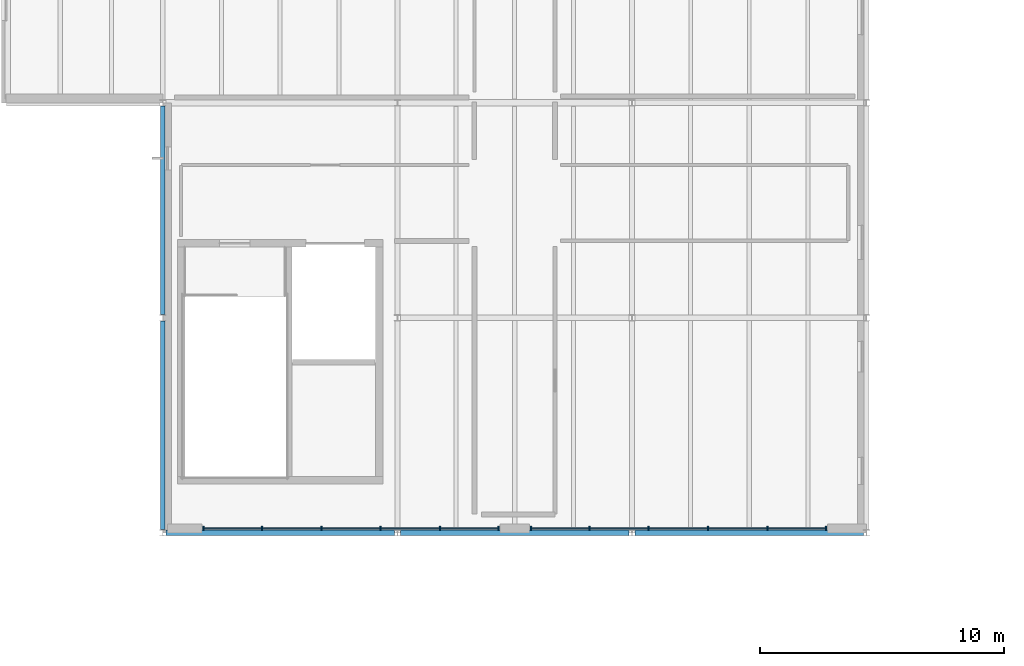
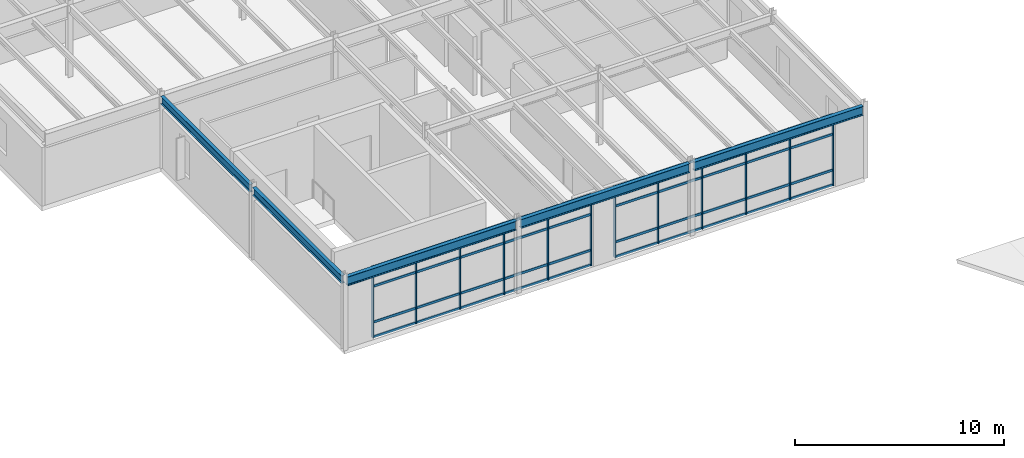
# One storey, part 18 of 69: 20 members, 5 beams, 2 elements without a shape of their own.
"""IFC4 building model written with IfcOpenShell, lengths in metres."""

from ifc_helpers import new_model, si_unit, direction, frame, origin, origin_2d, place, context, subcontext, project, spatial, rectangle, i_section, extrude, material, material_profile, profile_set, type_object, element, aggregate, save


model = new_model("IFC4")

# Units and contexts
model_context = context("Model", 3, precision=1e-05, world=origin(), true_north=direction((0.0, 1.0)))
body_context = subcontext(model_context, "Body", "Model", "MODEL_VIEW")
ifc_project = project(units=[si_unit("LENGTHUNIT", "METRE"), si_unit("AREAUNIT", "SQUARE_METRE"), si_unit("VOLUMEUNIT", "CUBIC_METRE"), si_unit("PLANEANGLEUNIT", "RADIAN"), si_unit("MASSUNIT", "GRAM", prefix="KILO")], contexts=[model_context])

# Site, building, storey
site_placement = place(None, origin())
site = spatial("IfcSite", under=ifc_project, at=site_placement, CompositionType="ELEMENT")
building_placement = place(site_placement, origin())
building = spatial("IfcBuilding", under=site, at=building_placement, Name="Sarnbrook Museum", CompositionType="ELEMENT")
storey_placement = place(building_placement, frame((0.0, 0.0, 14.60009765625)))
storey = spatial("IfcBuildingStorey", under=building, at=storey_placement, Name="L03", CompositionType="ELEMENT", Elevation=14.60009765625)

# Beams
ifc_material_1 = material(Name="Structural Steel Grade 300PLUS (AS/NZS 3679.1, fy = 280 MPa for 17 < t <= 40 mm, 300 MPa for t <= 17 mm)", Category="steel")
ifc_material_profile_1 = material_profile(ifc_material_1, i_section(OverallWidth=0.18994140625, OverallDepth=0.45703125, WebThickness=0.009033203125, FlangeThickness=0.014404296875, FilletRadius=0.011474609375, at=origin_2d()), Name="460UB74.6")
ifc_profile_set_1 = profile_set([ifc_material_profile_1], Name="Structural Steel Grade 300PLUS (AS/NZS 3679.1, fy = 280 MPa for 17 < t <= 40 mm, 300 MPa for t <= 17 mm)")
beam_type_1 = type_object("IfcBeamType", Name="BM-UB460", PredefinedType="BEAM", material=ifc_profile_set_1)
for number, where, z_axis, x_axis, name in (
    (1, (13.60009765625, 39.326904296875, 4.021484375), (0.0, 1.0, 0.0), (-1.0, 0.0, 0.0), "Girder 2:E-F L03"),
    (2, (13.60009765625, 48.126953125, 4.021484375), (0.0, 1.0, 0.0), (-1.0, 0.0, 0.0), "Girder 2:F-G L03"),
):
    element("IfcBeam", number, at=place(storey_placement, frame(where, z_axis=z_axis, x_axis=x_axis)), inside=storey, type_object=beam_type_1, Name=name, PredefinedType="BEAM", context=body_context, shape_type="SweptSolid", body=[
        extrude(i_section(OverallWidth=0.18994140625, OverallDepth=0.45703125, WebThickness=0.009033203125, FlangeThickness=0.014404296875, FilletRadius=0.011474609375, at=origin_2d()), origin(), (0.0, 0.0, 1.0), 8.546142578125),
    ])
ifc_material_profile_2 = material_profile(ifc_material_1, i_section(OverallWidth=0.208984375, OverallDepth=0.532958984375, WebThickness=0.01025390625, FlangeThickness=0.015625, FilletRadius=0.013916015625, at=origin_2d()), Name="530UB92.4")
ifc_profile_set_2 = profile_set([ifc_material_profile_2], Name="Structural Steel Grade 300PLUS (AS/NZS 3679.1, fy = 280 MPa for 17 < t <= 40 mm, 300 MPa for t <= 17 mm)")
beam_type_2 = type_object("IfcBeamType", Name="BM-UB530", PredefinedType="BEAM", material=ifc_profile_set_2)
beam_1_placement = place(storey_placement, frame((13.72705078125, 39.199951171875, 3.9833984375), z_axis=(1.0, 0.0, 0.0), x_axis=(0.0, 1.0, 0.0)))
element("IfcBeam", 3, at=beam_1_placement, inside=storey, type_object=beam_type_2, Name="Girder E:2-3 L03", PredefinedType="BEAM", context=body_context, shape_type="SweptSolid", body=[
    extrude(i_section(OverallWidth=0.208984375, OverallDepth=0.532958984375, WebThickness=0.01025390625, FlangeThickness=0.015625, FilletRadius=0.013916015625, at=origin_2d()), origin(), (0.0, 0.0, 1.0), 9.345947265625),
])
beam_2_placement = place(storey_placement, frame((23.326904296875, 39.199951171875, 3.9833984375), z_axis=(1.0, 0.0, 0.0), x_axis=(0.0, 1.0, 0.0)))
element("IfcBeam", 4, at=beam_2_placement, inside=storey, type_object=beam_type_2, Name="Girder E:3-4 L03", PredefinedType="BEAM", context=body_context, shape_type="SweptSolid", body=[
    extrude(i_section(OverallWidth=0.208984375, OverallDepth=0.532958984375, WebThickness=0.01025390625, FlangeThickness=0.015625, FilletRadius=0.013916015625, at=origin_2d()), origin(), (0.0, 0.0, 1.0), 9.34619140625),
])
beam_3_placement = place(storey_placement, frame((32.927001953125, 39.199951171875, 3.9833984375), z_axis=(1.0, 0.0, 0.0), x_axis=(0.0, 1.0, 0.0)))
element("IfcBeam", 5, at=beam_3_placement, inside=storey, type_object=beam_type_2, Name="Girder E:4-5 L03", PredefinedType="BEAM", context=body_context, shape_type="SweptSolid", body=[
    extrude(i_section(OverallWidth=0.208984375, OverallDepth=0.532958984375, WebThickness=0.01025390625, FlangeThickness=0.015625, FilletRadius=0.013916015625, at=origin_2d()), origin(), (0.0, 0.0, 1.0), 9.345947265625),
])

# Curtain wall, members
ifc_material_2 = material(Name="Thermally Broken Anodised Aluminium 6063-T6", Category="aluminium")
curtain_wall_type = type_object("IfcCurtainWallType", Name="CurtainWall_GalleryRibbon", PredefinedType="NOTDEFINED", material=ifc_material_2)
curtain_wall_1_placement = place(storey_placement, origin())
curtain_wall_1 = element("IfcCurtainWall", 6, at=curtain_wall_1_placement, inside=storey, type_object=curtain_wall_type, Name="Gallery Ribbon Curtain Wall L03-14.1", PredefinedType="NOTDEFINED")
ifc_material_profile_3 = material_profile(ifc_material_2, rectangle(XDim=0.06005859375, YDim=0.159912109375, at=origin_2d()), Name="ALU MULLION 60x160")
ifc_profile_set_3 = profile_set([ifc_material_profile_3], Name="Thermally Broken Anodised Aluminium 6063-T6")
member_type_1 = type_object("IfcMemberType", Name="CW_Mullion_150x65", PredefinedType="MULLION", material=ifc_profile_set_3)
member_1_placement = place(storey_placement, frame((15.260009765625, 39.3798828125, 0.0), z_axis=(0.0, 0.0, 1.0), x_axis=(1.0, 0.0, 0.0)))
member_1 = element("IfcMember", 7, at=member_1_placement, type_object=member_type_1, Name="Gallery Ribbon Curtain Wall L03-14.1 Mullion 1", PredefinedType="MULLION", context=body_context, shape_type="SweptSolid", body=[
    extrude(rectangle(XDim=0.06005859375, YDim=0.159912109375, at=origin_2d()), origin(), (0.0, 0.0, 1.0), 4.159912109375),
])
member_2_placement = place(storey_placement, frame((17.652099609375, 39.3798828125, 0.0), z_axis=(0.0, 0.0, 1.0), x_axis=(1.0, 0.0, 0.0)))
member_2 = element("IfcMember", 8, at=member_2_placement, type_object=member_type_1, Name="Gallery Ribbon Curtain Wall L03-14.1 Mullion 2", PredefinedType="MULLION", context=body_context, shape_type="SweptSolid", body=[
    extrude(rectangle(XDim=0.06005859375, YDim=0.159912109375, at=origin_2d()), origin(), (0.0, 0.0, 1.0), 4.159912109375),
])
member_3_placement = place(storey_placement, frame((20.083984375, 39.3798828125, 0.0), z_axis=(0.0, 0.0, 1.0), x_axis=(1.0, 0.0, 0.0)))
member_3 = element("IfcMember", 9, at=member_3_placement, type_object=member_type_1, Name="Gallery Ribbon Curtain Wall L03-14.1 Mullion 3", PredefinedType="MULLION", context=body_context, shape_type="SweptSolid", body=[
    extrude(rectangle(XDim=0.06005859375, YDim=0.159912109375, at=origin_2d()), origin(), (0.0, 0.0, 1.0), 4.159912109375),
])
member_4_placement = place(storey_placement, frame((22.51611328125, 39.3798828125, 0.0), z_axis=(0.0, 0.0, 1.0), x_axis=(1.0, 0.0, 0.0)))
member_4 = element("IfcMember", 10, at=member_4_placement, type_object=member_type_1, Name="Gallery Ribbon Curtain Wall L03-14.1 Mullion 4", PredefinedType="MULLION", context=body_context, shape_type="SweptSolid", body=[
    extrude(rectangle(XDim=0.06005859375, YDim=0.159912109375, at=origin_2d()), origin(), (0.0, 0.0, 1.0), 4.159912109375),
])
member_5_placement = place(storey_placement, frame((24.947998046875, 39.3798828125, 0.0), z_axis=(0.0, 0.0, 1.0), x_axis=(1.0, 0.0, 0.0)))
member_5 = element("IfcMember", 11, at=member_5_placement, type_object=member_type_1, Name="Gallery Ribbon Curtain Wall L03-14.1 Mullion 5", PredefinedType="MULLION", context=body_context, shape_type="SweptSolid", body=[
    extrude(rectangle(XDim=0.06005859375, YDim=0.159912109375, at=origin_2d()), origin(), (0.0, 0.0, 1.0), 4.159912109375),
])
member_6_placement = place(storey_placement, frame((27.340087890625, 39.3798828125, 0.0), z_axis=(0.0, 0.0, 1.0), x_axis=(1.0, 0.0, 0.0)))
member_6 = element("IfcMember", 12, at=member_6_placement, type_object=member_type_1, Name="Gallery Ribbon Curtain Wall L03-14.1 Mullion 6", PredefinedType="MULLION", context=body_context, shape_type="SweptSolid", body=[
    extrude(rectangle(XDim=0.06005859375, YDim=0.159912109375, at=origin_2d()), origin(), (0.0, 0.0, 1.0), 4.159912109375),
])

curtain_wall_2_placement = place(storey_placement, origin())
curtain_wall_2 = element("IfcCurtainWall", 13, at=curtain_wall_2_placement, inside=storey, type_object=curtain_wall_type, Name="Gallery Ribbon Curtain Wall L03-14.2", PredefinedType="NOTDEFINED")
member_7_placement = place(storey_placement, frame((28.659912109375, 39.3798828125, 0.0), z_axis=(0.0, 0.0, 1.0), x_axis=(1.0, 0.0, 0.0)))
member_7 = element("IfcMember", 14, at=member_7_placement, type_object=member_type_1, Name="Gallery Ribbon Curtain Wall L03-14.2 Mullion 1", PredefinedType="MULLION", context=body_context, shape_type="SweptSolid", body=[
    extrude(rectangle(XDim=0.06005859375, YDim=0.159912109375, at=origin_2d()), origin(), (0.0, 0.0, 1.0), 4.159912109375),
])
member_8_placement = place(storey_placement, frame((31.052001953125, 39.3798828125, 0.0), z_axis=(0.0, 0.0, 1.0), x_axis=(1.0, 0.0, 0.0)))
member_8 = element("IfcMember", 15, at=member_8_placement, type_object=member_type_1, Name="Gallery Ribbon Curtain Wall L03-14.2 Mullion 2", PredefinedType="MULLION", context=body_context, shape_type="SweptSolid", body=[
    extrude(rectangle(XDim=0.06005859375, YDim=0.159912109375, at=origin_2d()), origin(), (0.0, 0.0, 1.0), 4.159912109375),
])
member_9_placement = place(storey_placement, frame((33.48388671875, 39.3798828125, 0.0), z_axis=(0.0, 0.0, 1.0), x_axis=(1.0, 0.0, 0.0)))
member_9 = element("IfcMember", 16, at=member_9_placement, type_object=member_type_1, Name="Gallery Ribbon Curtain Wall L03-14.2 Mullion 3", PredefinedType="MULLION", context=body_context, shape_type="SweptSolid", body=[
    extrude(rectangle(XDim=0.06005859375, YDim=0.159912109375, at=origin_2d()), origin(), (0.0, 0.0, 1.0), 4.159912109375),
])
member_10_placement = place(storey_placement, frame((35.916015625, 39.3798828125, 0.0), z_axis=(0.0, 0.0, 1.0), x_axis=(1.0, 0.0, 0.0)))
member_10 = element("IfcMember", 17, at=member_10_placement, type_object=member_type_1, Name="Gallery Ribbon Curtain Wall L03-14.2 Mullion 4", PredefinedType="MULLION", context=body_context, shape_type="SweptSolid", body=[
    extrude(rectangle(XDim=0.06005859375, YDim=0.159912109375, at=origin_2d()), origin(), (0.0, 0.0, 1.0), 4.159912109375),
])
member_11_placement = place(storey_placement, frame((38.347900390625, 39.3798828125, 0.0), z_axis=(0.0, 0.0, 1.0), x_axis=(1.0, 0.0, 0.0)))
member_11 = element("IfcMember", 18, at=member_11_placement, type_object=member_type_1, Name="Gallery Ribbon Curtain Wall L03-14.2 Mullion 5", PredefinedType="MULLION", context=body_context, shape_type="SweptSolid", body=[
    extrude(rectangle(XDim=0.06005859375, YDim=0.159912109375, at=origin_2d()), origin(), (0.0, 0.0, 1.0), 4.159912109375),
])
member_12_placement = place(storey_placement, frame((40.739990234375, 39.3798828125, 0.0), z_axis=(0.0, 0.0, 1.0), x_axis=(1.0, 0.0, 0.0)))
member_12 = element("IfcMember", 19, at=member_12_placement, type_object=member_type_1, Name="Gallery Ribbon Curtain Wall L03-14.2 Mullion 6", PredefinedType="MULLION", context=body_context, shape_type="SweptSolid", body=[
    extrude(rectangle(XDim=0.06005859375, YDim=0.159912109375, at=origin_2d()), origin(), (0.0, 0.0, 1.0), 4.159912109375),
])

# Member
ifc_material_profile_4 = material_profile(ifc_material_2, rectangle(XDim=0.06494140625, YDim=0.139892578125, at=origin_2d()), Name="ALU TRANSOM 65x140")
ifc_profile_set_4 = profile_set([ifc_material_profile_4], Name="Thermally Broken Anodised Aluminium 6063-T6")
member_type_2 = type_object("IfcMemberType", Name="CW_Transom_150x65", PredefinedType="USERDEFINED", material=ifc_profile_set_4)
member_13_placement = place(storey_placement, frame((15.27001953125, 39.3798828125, 0.039794921875), z_axis=(1.0, 0.0, 0.0), x_axis=(0.0, 1.0, 0.0)))
member_13 = element("IfcMember", 20, at=member_13_placement, type_object=member_type_2, Name="Gallery Ribbon Curtain Wall L03-14.1 Transom 1", ObjectType="TRANSOM", PredefinedType="USERDEFINED", context=body_context, shape_type="SweptSolid", body=[
    extrude(rectangle(XDim=0.06494140625, YDim=0.139892578125, at=origin_2d()), origin(), (0.0, 0.0, 1.0), 12.06005859375),
])

member_14_placement = place(storey_placement, frame((15.27001953125, 39.3798828125, 0.89990234375), z_axis=(1.0, 0.0, 0.0), x_axis=(0.0, 1.0, 0.0)))
member_14 = element("IfcMember", 21, at=member_14_placement, type_object=member_type_2, Name="Gallery Ribbon Curtain Wall L03-14.1 Transom 2", ObjectType="TRANSOM", PredefinedType="USERDEFINED", context=body_context, shape_type="SweptSolid", body=[
    extrude(rectangle(XDim=0.06494140625, YDim=0.139892578125, at=origin_2d()), origin(), (0.0, 0.0, 1.0), 12.06005859375),
])

member_15_placement = place(storey_placement, frame((15.27001953125, 39.3798828125, 3.0), z_axis=(1.0, 0.0, 0.0), x_axis=(0.0, 1.0, 0.0)))
member_15 = element("IfcMember", 22, at=member_15_placement, type_object=member_type_2, Name="Gallery Ribbon Curtain Wall L03-14.1 Transom 3", ObjectType="TRANSOM", PredefinedType="USERDEFINED", context=body_context, shape_type="SweptSolid", body=[
    extrude(rectangle(XDim=0.06494140625, YDim=0.139892578125, at=origin_2d()), origin(), (0.0, 0.0, 1.0), 12.06005859375),
])

member_16_placement = place(storey_placement, frame((15.27001953125, 39.3798828125, 4.119873046875), z_axis=(1.0, 0.0, 0.0), x_axis=(0.0, 1.0, 0.0)))
member_16 = element("IfcMember", 23, at=member_16_placement, type_object=member_type_2, Name="Gallery Ribbon Curtain Wall L03-14.1 Transom 4", ObjectType="TRANSOM", PredefinedType="USERDEFINED", context=body_context, shape_type="SweptSolid", body=[
    extrude(rectangle(XDim=0.06494140625, YDim=0.139892578125, at=origin_2d()), origin(), (0.0, 0.0, 1.0), 12.06005859375),
])

aggregate(curtain_wall_1, [member_1, member_2, member_3, member_4, member_5, member_6, member_13, member_14, member_15, member_16])

member_17_placement = place(storey_placement, frame((28.669921875, 39.3798828125, 0.039794921875), z_axis=(1.0, 0.0, 0.0), x_axis=(0.0, 1.0, 0.0)))
member_17 = element("IfcMember", 24, at=member_17_placement, type_object=member_type_2, Name="Gallery Ribbon Curtain Wall L03-14.2 Transom 1", ObjectType="TRANSOM", PredefinedType="USERDEFINED", context=body_context, shape_type="SweptSolid", body=[
    extrude(rectangle(XDim=0.06494140625, YDim=0.139892578125, at=origin_2d()), origin(), (0.0, 0.0, 1.0), 12.06005859375),
])

member_18_placement = place(storey_placement, frame((28.669921875, 39.3798828125, 0.89990234375), z_axis=(1.0, 0.0, 0.0), x_axis=(0.0, 1.0, 0.0)))
member_18 = element("IfcMember", 25, at=member_18_placement, type_object=member_type_2, Name="Gallery Ribbon Curtain Wall L03-14.2 Transom 2", ObjectType="TRANSOM", PredefinedType="USERDEFINED", context=body_context, shape_type="SweptSolid", body=[
    extrude(rectangle(XDim=0.06494140625, YDim=0.139892578125, at=origin_2d()), origin(), (0.0, 0.0, 1.0), 12.06005859375),
])

member_19_placement = place(storey_placement, frame((28.669921875, 39.3798828125, 3.0), z_axis=(1.0, 0.0, 0.0), x_axis=(0.0, 1.0, 0.0)))
member_19 = element("IfcMember", 26, at=member_19_placement, type_object=member_type_2, Name="Gallery Ribbon Curtain Wall L03-14.2 Transom 3", ObjectType="TRANSOM", PredefinedType="USERDEFINED", context=body_context, shape_type="SweptSolid", body=[
    extrude(rectangle(XDim=0.06494140625, YDim=0.139892578125, at=origin_2d()), origin(), (0.0, 0.0, 1.0), 12.06005859375),
])

member_20_placement = place(storey_placement, frame((28.669921875, 39.3798828125, 4.119873046875), z_axis=(1.0, 0.0, 0.0), x_axis=(0.0, 1.0, 0.0)))
member_20 = element("IfcMember", 27, at=member_20_placement, type_object=member_type_2, Name="Gallery Ribbon Curtain Wall L03-14.2 Transom 4", ObjectType="TRANSOM", PredefinedType="USERDEFINED", context=body_context, shape_type="SweptSolid", body=[
    extrude(rectangle(XDim=0.06494140625, YDim=0.139892578125, at=origin_2d()), origin(), (0.0, 0.0, 1.0), 12.06005859375),
])

aggregate(curtain_wall_2, [member_7, member_8, member_9, member_10, member_11, member_12, member_17, member_18, member_19, member_20])

save(model, "model.ifc")
